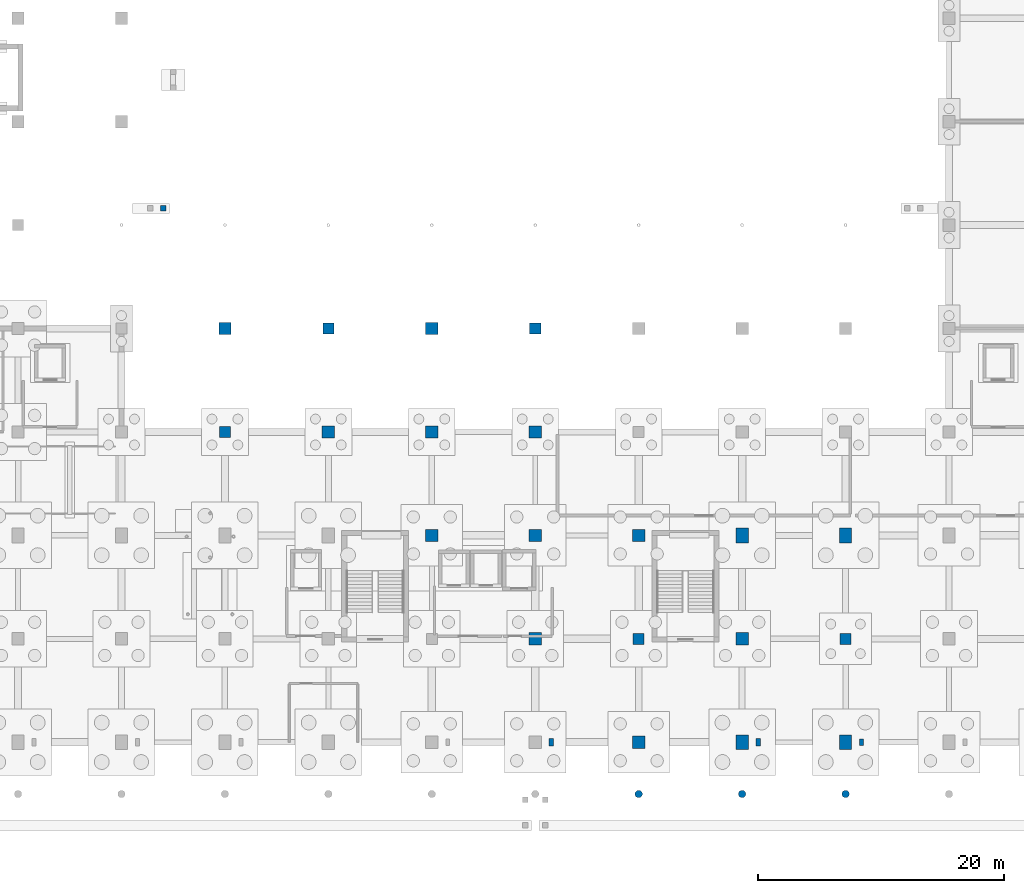
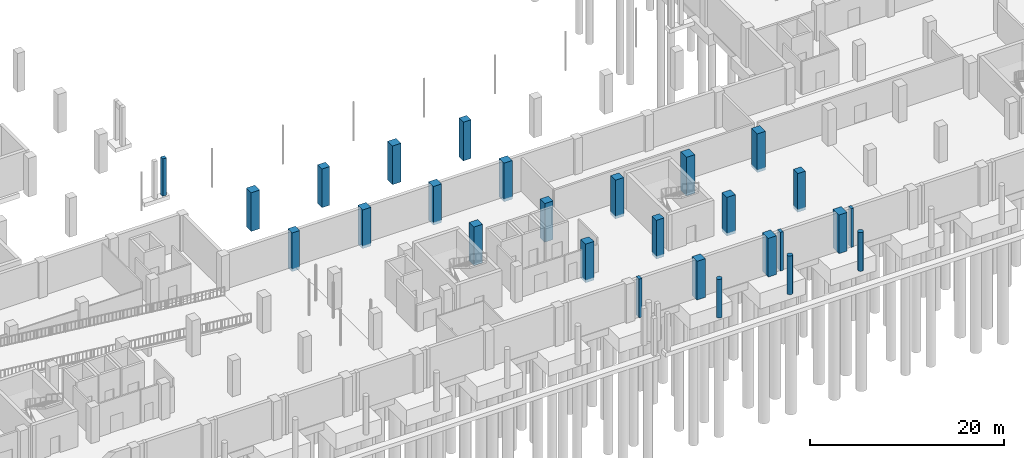
# One storey, part 14 of 39: 27 columns.
"""IFC4 building model written with IfcOpenShell, lengths in metres."""

from ifc_helpers import new_model, si_unit, derived_unit, direction, frame, origin, origin_2d, place, context, subcontext, project, spatial, rectangle, circle, extrude, material, material_profile, profile_set, type_object, element, save


model = new_model("IFC4")

# Units and contexts
model_context = context("Model", 3, precision=1e-05, world=origin(), true_north=direction((0.0, 1.0)))
body_context = subcontext(model_context, "Body", "Model", "MODEL_VIEW")
ifc_project = project(units=[si_unit("LENGTHUNIT", "METRE"), si_unit("AREAUNIT", "SQUARE_METRE"), si_unit("VOLUMEUNIT", "CUBIC_METRE"), si_unit("PLANEANGLEUNIT", "RADIAN"), si_unit("MASSUNIT", "GRAM", prefix="KILO"), derived_unit("THERMALTRANSMITTANCEUNIT", [(si_unit("POWERUNIT", "WATT"), 1), (si_unit("LENGTHUNIT", "METRE"), -2), (si_unit("THERMODYNAMICTEMPERATUREUNIT", "KELVIN"), -1)])], contexts=[model_context])

# Site, building, storey
site_placement = place(None, origin())
site = spatial("IfcSite", under=ifc_project, at=site_placement, CompositionType="ELEMENT")
building_placement = place(site_placement, origin())
building = spatial("IfcBuilding", under=site, at=building_placement, Name="Barrovel Congress Hotel", CompositionType="ELEMENT")
storey_placement = place(building_placement, frame((0.0, 0.0, -4.5)))
storey = spatial("IfcBuildingStorey", under=building, at=storey_placement, Name="B01", CompositionType="ELEMENT", Elevation=-4.5)

# Columns
ifc_material_1 = material(Name="Concrete C40", Category="concrete")
ifc_material_profile_1 = material_profile(ifc_material_1, circle(Radius=0.300048828125, at=origin_2d()), Name="RC-D600")
ifc_profile_set_1 = profile_set([ifc_material_profile_1], Name="Concrete C40")
column_type_1 = type_object("IfcColumnType", Name="COL-RC-D600", PredefinedType="COLUMN", material=ifc_profile_set_1)
for number, where, z_axis, x_axis, name in (
    (1, (100.800048828125, 0.0, -0.360107421875), (0.0, 0.0, 1.0), (1.0, 0.0, 0.0), "COL:B01:100.8:0.0"),
    (2, (109.199951171875, 0.0, -0.360107421875), (0.0, 0.0, 1.0), (1.0, 0.0, 0.0), "COL:B01:109.2:0.0"),
    (3, (117.60009765625, 0.0, -0.360107421875), (0.0, 0.0, 1.0), (1.0, 0.0, 0.0), "COL:B01:117.6:0.0"),
):
    element("IfcColumn", number, at=place(storey_placement, frame(where, z_axis=z_axis, x_axis=x_axis)), inside=storey, type_object=column_type_1, Name=name, PredefinedType="COLUMN", context=body_context, shape_type="SweptSolid", body=[
        extrude(circle(Radius=0.300048828125, at=origin_2d()), origin(), (0.0, 0.0, 1.0), 4.860107421875),
    ])
ifc_material_2 = material(Name="Concrete C50", Category="concrete")
ifc_material_profile_2 = material_profile(ifc_material_2, rectangle(XDim=1.0, YDim=1.0, at=origin_2d()), Name="RC1000x1000")
ifc_profile_set_2 = profile_set([ifc_material_profile_2], Name="Concrete C50")
column_type_2 = type_object("IfcColumnType", Name="COL-RC1000x1000", PredefinedType="COLUMN", material=ifc_profile_set_2)
for number, where, z_axis, x_axis, name in (
    (4, (67.199951171875, 37.800048828125, -0.360107421875), (0.0, 0.0, 1.0), (1.0, 0.0, 0.0), "COL:B01:67.2:37.8"),
    (5, (75.60009765625, 29.39990234375, -0.360107421875), (0.0, 0.0, 1.0), (1.0, 0.0, 0.0), "COL:B01:75.6:29.4"),
    (6, (84.0, 21.0, -0.360107421875), (0.0, 0.0, 1.0), (1.0, 0.0, 0.0), "COL:B01:84.0:21.0"),
    (7, (84.0, 29.39990234375, -0.360107421875), (0.0, 0.0, 1.0), (1.0, 0.0, 0.0), "COL:B01:84.0:29.4"),
    (8, (84.0, 37.800048828125, -0.360107421875), (0.0, 0.0, 1.0), (1.0, 0.0, 0.0), "COL:B01:84.0:37.8"),
    (9, (92.39990234375, 12.60009765625, -0.360107421875), (0.0, 0.0, 1.0), (1.0, 0.0, 0.0), "COL:B01:92.4:12.6"),
    (10, (92.39990234375, 21.0, -0.360107421875), (0.0, 0.0, 1.0), (1.0, 0.0, 0.0), "COL:B01:92.4:21.0"),
    (11, (92.39990234375, 29.39990234375, -0.360107421875), (0.0, 0.0, 1.0), (1.0, 0.0, 0.0), "COL:B01:92.4:29.4"),
    (12, (100.800048828125, 4.199951171875, -0.360107421875), (0.0, 0.0, 1.0), (1.0, 0.0, 0.0), "COL:B01:100.8:4.2"),
    (13, (100.800048828125, 21.0, -0.360107421875), (0.0, 0.0, 1.0), (1.0, 0.0, 0.0), "COL:B01:100.8:21.0"),
    (14, (109.199951171875, 12.60009765625, -0.360107421875), (0.0, 0.0, 1.0), (1.0, 0.0, 0.0), "COL:B01:109.2:12.6"),
):
    element("IfcColumn", number, at=place(storey_placement, frame(where, z_axis=z_axis, x_axis=x_axis)), inside=storey, type_object=column_type_2, Name=name, PredefinedType="COLUMN", context=body_context, shape_type="SweptSolid", body=[
        extrude(rectangle(XDim=1.0, YDim=1.0, at=origin_2d()), origin(), (0.0, 0.0, 1.0), 4.860107421875),
    ])
ifc_material_profile_3 = material_profile(ifc_material_2, rectangle(XDim=1.0, YDim=1.199951171875, at=origin_2d()), Name="RC1000x1200")
ifc_profile_set_3 = profile_set([ifc_material_profile_3], Name="Concrete C50")
column_type_3 = type_object("IfcColumnType", Name="COL-RC1000x1200", PredefinedType="COLUMN", material=ifc_profile_set_3)
for number, where, z_axis, x_axis, name in (
    (15, (109.199951171875, 4.199951171875, -0.360107421875), (0.0, 0.0, 1.0), (1.0, 0.0, 0.0), "COL:B01:109.2:4.2"),
    (16, (109.199951171875, 21.0, -0.360107421875), (0.0, 0.0, 1.0), (1.0, 0.0, 0.0), "COL:B01:109.2:21.0"),
    (17, (117.60009765625, 4.199951171875, -0.360107421875), (0.0, 0.0, 1.0), (1.0, 0.0, 0.0), "COL:B01:117.6:4.2"),
    (18, (117.60009765625, 21.0, -0.360107421875), (0.0, 0.0, 1.0), (1.0, 0.0, 0.0), "COL:B01:117.6:21.0"),
):
    element("IfcColumn", number, at=place(storey_placement, frame(where, z_axis=z_axis, x_axis=x_axis)), inside=storey, type_object=column_type_3, Name=name, PredefinedType="COLUMN", context=body_context, shape_type="SweptSolid", body=[
        extrude(rectangle(XDim=1.0, YDim=1.199951171875, at=origin_2d()), origin(), (0.0, 0.0, 1.0), 4.860107421875),
    ])
ifc_material_profile_4 = material_profile(ifc_material_1, rectangle(XDim=0.449951171875, YDim=0.449951171875, at=origin_2d()), Name="RC450x450")
ifc_profile_set_4 = profile_set([ifc_material_profile_4], Name="Concrete C40")
column_type_4 = type_object("IfcColumnType", Name="COL-RC450x450", PredefinedType="COLUMN", material=ifc_profile_set_4)
column_1_placement = place(storey_placement, frame((62.199951171875, 47.550048828125, -0.360107421875), z_axis=(0.0, 0.0, 1.0), x_axis=(1.0, 0.0, 0.0)))
element("IfcColumn", 19, at=column_1_placement, inside=storey, type_object=column_type_4, Name="COL:PAV-COURT-WALK-W:2", PredefinedType="COLUMN", context=body_context, shape_type="SweptSolid", body=[
    extrude(rectangle(XDim=0.449951171875, YDim=0.449951171875, at=origin_2d()), origin(), (0.0, 0.0, 1.0), 4.68017578125),
])
ifc_material_profile_5 = material_profile(ifc_material_1, rectangle(XDim=0.89990234375, YDim=0.89990234375, at=origin_2d()), Name="RC900x900")
ifc_profile_set_5 = profile_set([ifc_material_profile_5], Name="Concrete C40")
column_type_5 = type_object("IfcColumnType", Name="COL-RC900x900", PredefinedType="COLUMN", material=ifc_profile_set_5)
for number, where, z_axis, x_axis, name in (
    (20, (67.199951171875, 29.39990234375, -0.360107421875), (0.0, 0.0, 1.0), (1.0, 0.0, 0.0), "COL:B01:67.2:29.4"),
    (21, (75.60009765625, 37.800048828125, -0.360107421875), (0.0, 0.0, 1.0), (1.0, 0.0, 0.0), "COL:B01:75.6:37.8"),
    (22, (92.39990234375, 37.800048828125, -0.360107421875), (0.0, 0.0, 1.0), (1.0, 0.0, 0.0), "COL:B01:92.4:37.8"),
    (23, (100.800048828125, 12.60009765625, -0.360107421875), (0.0, 0.0, 1.0), (1.0, 0.0, 0.0), "COL:B01:100.8:12.6"),
    (24, (117.60009765625, 12.60009765625, -0.360107421875), (0.0, 0.0, 1.0), (1.0, 0.0, 0.0), "COL:B01:117.6:12.6"),
):
    element("IfcColumn", number, at=place(storey_placement, frame(where, z_axis=z_axis, x_axis=x_axis)), inside=storey, type_object=column_type_5, Name=name, PredefinedType="COLUMN", context=body_context, shape_type="SweptSolid", body=[
        extrude(rectangle(XDim=0.89990234375, YDim=0.89990234375, at=origin_2d()), origin(), (0.0, 0.0, 1.0), 4.860107421875),
    ])
ifc_material_profile_6 = material_profile(ifc_material_1, rectangle(XDim=0.300048828125, YDim=0.550048828125, at=origin_2d()), Name="RC300x550")
ifc_profile_set_6 = profile_set([ifc_material_profile_6], Name="Concrete C40")
column_type_6 = type_object("IfcColumnType", Name="PIL-RC300x550", PredefinedType="PILASTER", material=ifc_profile_set_6)
column_2_placement = place(storey_placement, frame((118.89990234375, 4.199951171875, -0.360107421875), z_axis=(0.0, 0.0, 1.0), x_axis=(1.0, 0.0, 0.0)))
element("IfcColumn", 25, at=column_2_placement, inside=storey, type_object=column_type_6, Name="PIL:B01:S:118.9", PredefinedType="PILASTER", context=body_context, shape_type="SweptSolid", body=[
    extrude(rectangle(XDim=0.300048828125, YDim=0.550048828125, at=origin_2d()), origin(), (0.0, 0.0, 1.0), 4.860107421875),
])
ifc_material_profile_7 = material_profile(ifc_material_1, rectangle(XDim=0.35009765625, YDim=0.60009765625, at=origin_2d()), Name="RC350x600")
ifc_profile_set_7 = profile_set([ifc_material_profile_7], Name="Concrete C40")
column_type_7 = type_object("IfcColumnType", Name="PIL-RC350x600", PredefinedType="PILASTER", material=ifc_profile_set_7)
for number, where, z_axis, x_axis, name in (
    (26, (93.699951171875, 4.199951171875, -0.360107421875), (0.0, 0.0, 1.0), (1.0, 0.0, 0.0), "PIL:B01:S:93.7"),
    (27, (110.5, 4.199951171875, -0.360107421875), (0.0, 0.0, 1.0), (1.0, 0.0, 0.0), "PIL:B01:S:110.5"),
):
    element("IfcColumn", number, at=place(storey_placement, frame(where, z_axis=z_axis, x_axis=x_axis)), inside=storey, type_object=column_type_7, Name=name, PredefinedType="PILASTER", context=body_context, shape_type="SweptSolid", body=[
        extrude(rectangle(XDim=0.35009765625, YDim=0.60009765625, at=origin_2d()), origin(), (0.0, 0.0, 1.0), 4.860107421875),
    ])

save(model, "model.ifc")
